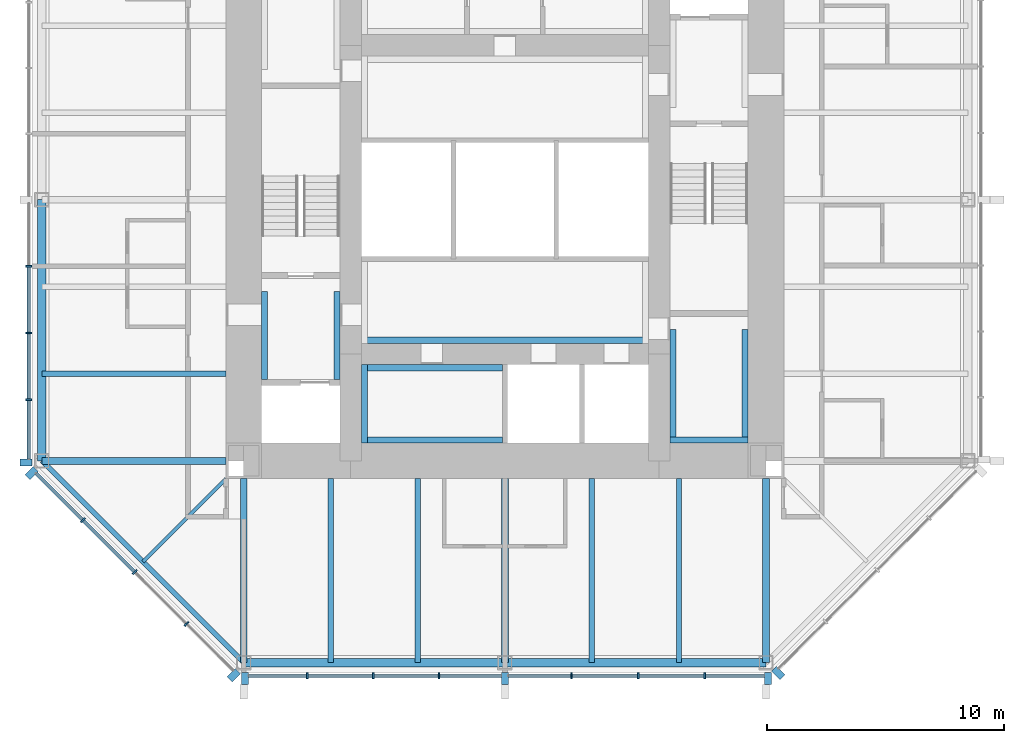
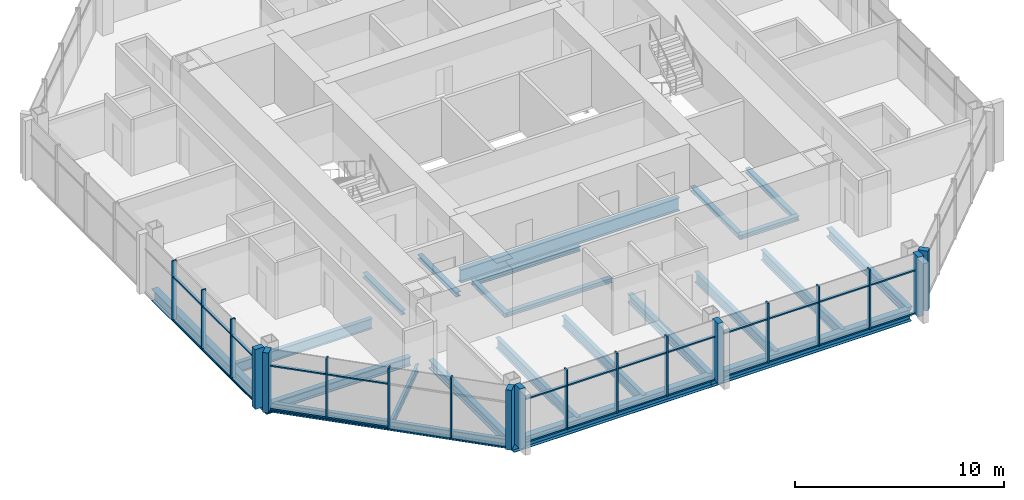
# One storey, part 2 of 11: 45 members, 23 beams, 4 elements without a shape of their own.
"""IFC4 building model written with IfcOpenShell, lengths in metres."""

from ifc_helpers import new_model, si_unit, direction, frame, origin, origin_2d, place, context, subcontext, project, spatial, rectangle, i_section, extrude, material, material_profile, profile_set, type_object, element, aggregate, save


model = new_model("IFC4")

# Units and contexts
model_context = context("Model", 3, precision=1e-05, world=origin(), true_north=direction((0.0, 1.0)))
body_context = subcontext(model_context, "Body", "Model", "MODEL_VIEW")
ifc_project = project(units=[si_unit("LENGTHUNIT", "METRE"), si_unit("AREAUNIT", "SQUARE_METRE"), si_unit("VOLUMEUNIT", "CUBIC_METRE"), si_unit("PLANEANGLEUNIT", "RADIAN"), si_unit("MASSUNIT", "GRAM", prefix="KILO")], contexts=[model_context])

# Site, building, storey
site_placement = place(None, origin())
site = spatial("IfcSite", under=ifc_project, at=site_placement, CompositionType="ELEMENT")
building_placement = place(site_placement, origin())
building = spatial("IfcBuilding", under=site, at=building_placement, Name="Trevanion Tower", CompositionType="ELEMENT")
storey_placement = place(building_placement, frame((0.0, 0.0, 239.699951171875)))
storey = spatial("IfcBuildingStorey", under=building, at=storey_placement, Name="L58", CompositionType="ELEMENT", Elevation=239.699951171875)

# Beams
ifc_material_1 = material(Name="Steel ASTM A992 Grade 50", Category="steel")
ifc_material_profile_1 = material_profile(ifc_material_1, i_section(OverallWidth=0.228271484375, OverallDepth=0.607177734375, WebThickness=0.01123046875, FlangeThickness=0.017333984375, at=origin_2d()), Name="W24X76")
ifc_profile_set_1 = profile_set([ifc_material_profile_1], Name="Steel ASTM A992 Grade 50")
beam_type_1 = type_object("IfcBeamType", Name="B11 W24X76", PredefinedType="BEAM", material=ifc_profile_set_1)
for number, where, z_axis, x_axis, name in (
    (1, (-11.75, -7.333251953125, -0.493408203125), (-1.0, 0.0, 0.0), (0.0, -1.0, 0.0), "B11 L58"),
    (2, (-7.333251953125, -11.75, -0.493408203125), (0.0, -1.0, 0.0), (1.0, 0.0, 0.0), "B11 L58"),
    (3, (-3.666748046875, -11.75, -0.493408203125), (0.0, -1.0, 0.0), (1.0, 0.0, 0.0), "B11 L58"),
    (4, (3.666748046875, -11.75, -0.493408203125), (0.0, -1.0, 0.0), (1.0, 0.0, 0.0), "B11 L58"),
    (5, (7.333251953125, -11.75, -0.493408203125), (0.0, -1.0, 0.0), (1.0, 0.0, 0.0), "B11 L58"),
):
    element("IfcBeam", number, at=place(storey_placement, frame(where, z_axis=z_axis, x_axis=x_axis)), inside=storey, type_object=beam_type_1, Name=name, PredefinedType="BEAM", context=body_context, shape_type="SweptSolid", body=[
        extrude(i_section(OverallWidth=0.228271484375, OverallDepth=0.607177734375, WebThickness=0.01123046875, FlangeThickness=0.017333984375, at=origin_2d()), origin(), (0.0, 0.0, 1.0), 7.75),
    ])
ifc_material_2 = material(Name="Steel ASTM A992 Grade 50", Category="steel")
ifc_material_profile_2 = material_profile(ifc_material_2, i_section(OverallWidth=0.15234375, OverallDepth=0.449462890625, WebThickness=0.007568359375, FlangeThickness=0.0107421875, at=origin_2d()), Name="W18X35")
ifc_profile_set_2 = profile_set([ifc_material_profile_2], Name="Steel ASTM A992 Grade 50")
beam_type_2 = type_object("IfcBeamType", Name="B12 W18X35", PredefinedType="BEAM", material=ifc_profile_set_2)
beam_1_placement = place(storey_placement, frame((-11.75, -11.75, -0.414794921875), z_axis=(-0.707106781187, -0.707106781187, 0.0), x_axis=(0.707106781187, -0.707106781187, 0.0)))
element("IfcBeam", 6, at=beam_1_placement, inside=storey, type_object=beam_type_2, Name="B12 L58", PredefinedType="BEAM", context=body_context, shape_type="SweptSolid", body=[
    extrude(i_section(OverallWidth=0.15234375, OverallDepth=0.449462890625, WebThickness=0.007568359375, FlangeThickness=0.0107421875, at=origin_2d()), origin(), (0.0, 0.0, 1.0), 4.94970703125),
])

# Curtain wall, members
ifc_material_3 = material(Name="Aluminium and glass", Category="aluminium")
curtain_wall_type = type_object("IfcCurtainWallType", Name="CW3 curtain wall", PredefinedType="USERDEFINED", material=ifc_material_3)
curtain_wall_1_placement = place(storey_placement, origin())
curtain_wall_1 = element("IfcCurtainWall", 7, at=curtain_wall_1_placement, inside=storey, type_object=curtain_wall_type, Name="CW3 L58 4", ObjectType="UNITISED CURTAIN WALL", PredefinedType="USERDEFINED")
ifc_material_4 = material(Name="Aluminium extrusion, anodised bronze", Category="aluminium")
ifc_material_profile_3 = material_profile(ifc_material_4, rectangle(XDim=0.074951171875, YDim=0.25, at=origin_2d()), Name="CW3 mullion")
ifc_profile_set_3 = profile_set([ifc_material_profile_3], Name="Aluminium extrusion, anodised bronze")
member_type_1 = type_object("IfcMemberType", Name="CW3 mullion", PredefinedType="MULLION", material=ifc_profile_set_3)
member_1_placement = place(storey_placement, frame((-20.050048828125, -2.806884765625, -0.18994140625), z_axis=(0.0, 0.0, 1.0), x_axis=(0.0, -1.0, 0.0)))
member_1 = element("IfcMember", 8, at=member_1_placement, type_object=member_type_1, Name="CW3 mullion 6", PredefinedType="MULLION", context=body_context, shape_type="SweptSolid", body=[
    extrude(rectangle(XDim=0.074951171875, YDim=0.25, at=origin_2d()), origin(), (0.0, 0.0, 1.0), 3.5),
])
member_2_placement = place(storey_placement, frame((-20.050048828125, -5.614013671875, -0.18994140625), z_axis=(0.0, 0.0, 1.0), x_axis=(0.0, -1.0, 0.0)))
member_2 = element("IfcMember", 9, at=member_2_placement, type_object=member_type_1, Name="CW3 mullion 7", PredefinedType="MULLION", context=body_context, shape_type="SweptSolid", body=[
    extrude(rectangle(XDim=0.074951171875, YDim=0.25, at=origin_2d()), origin(), (0.0, 0.0, 1.0), 3.5),
])
member_3_placement = place(storey_placement, frame((-20.050048828125, -8.4208984375, -0.18994140625), z_axis=(0.0, 0.0, 1.0), x_axis=(0.0, -1.0, 0.0)))
member_3 = element("IfcMember", 10, at=member_3_placement, type_object=member_type_1, Name="CW3 mullion 8", PredefinedType="MULLION", context=body_context, shape_type="SweptSolid", body=[
    extrude(rectangle(XDim=0.074951171875, YDim=0.25, at=origin_2d()), origin(), (0.0, 0.0, 1.0), 3.5),
])

curtain_wall_2_placement = place(storey_placement, origin())
curtain_wall_2 = element("IfcCurtainWall", 11, at=curtain_wall_2_placement, inside=storey, type_object=curtain_wall_type, Name="CW3 L58 5", ObjectType="UNITISED CURTAIN WALL", PredefinedType="USERDEFINED")
member_4_placement = place(storey_placement, frame((-17.775390625, -13.502197265625, -0.18994140625), z_axis=(0.0, 0.0, 1.0), x_axis=(0.707106781187, -0.707106781187, 0.0)))
member_4 = element("IfcMember", 12, at=member_4_placement, type_object=member_type_1, Name="CW3 mullion 2", PredefinedType="MULLION", context=body_context, shape_type="SweptSolid", body=[
    extrude(rectangle(XDim=0.074951171875, YDim=0.25, at=origin_2d()), origin(), (0.0, 0.0, 1.0), 3.5),
])
member_5_placement = place(storey_placement, frame((-15.593017578125, -15.684814453125, -0.18994140625), z_axis=(0.0, 0.0, 1.0), x_axis=(0.707106781187, -0.707106781187, 0.0)))
member_5 = element("IfcMember", 13, at=member_5_placement, type_object=member_type_1, Name="CW3 mullion 3", PredefinedType="MULLION", context=body_context, shape_type="SweptSolid", body=[
    extrude(rectangle(XDim=0.074951171875, YDim=0.25, at=origin_2d()), origin(), (0.0, 0.0, 1.0), 3.5),
])
member_6_placement = place(storey_placement, frame((-13.410400390625, -17.867431640625, -0.18994140625), z_axis=(0.0, 0.0, 1.0), x_axis=(0.707106781187, -0.707106781187, 0.0)))
member_6 = element("IfcMember", 14, at=member_6_placement, type_object=member_type_1, Name="CW3 mullion 4", PredefinedType="MULLION", context=body_context, shape_type="SweptSolid", body=[
    extrude(rectangle(XDim=0.074951171875, YDim=0.25, at=origin_2d()), origin(), (0.0, 0.0, 1.0), 3.5),
])

curtain_wall_3_placement = place(storey_placement, origin())
curtain_wall_3 = element("IfcCurtainWall", 15, at=curtain_wall_3_placement, inside=storey, type_object=curtain_wall_type, Name="CW3 L58 6", ObjectType="UNITISED CURTAIN WALL", PredefinedType="USERDEFINED")
member_7_placement = place(storey_placement, frame((-8.323486328125, -20.050048828125, -0.18994140625), z_axis=(0.0, 0.0, 1.0), x_axis=(1.0, 0.0, 0.0)))
member_7 = element("IfcMember", 16, at=member_7_placement, type_object=member_type_1, Name="CW3 mullion 2", PredefinedType="MULLION", context=body_context, shape_type="SweptSolid", body=[
    extrude(rectangle(XDim=0.074951171875, YDim=0.25, at=origin_2d()), origin(), (0.0, 0.0, 1.0), 3.5),
])
member_8_placement = place(storey_placement, frame((-5.548828125, -20.050048828125, -0.18994140625), z_axis=(0.0, 0.0, 1.0), x_axis=(1.0, 0.0, 0.0)))
member_8 = element("IfcMember", 17, at=member_8_placement, type_object=member_type_1, Name="CW3 mullion 3", PredefinedType="MULLION", context=body_context, shape_type="SweptSolid", body=[
    extrude(rectangle(XDim=0.074951171875, YDim=0.25, at=origin_2d()), origin(), (0.0, 0.0, 1.0), 3.5),
])
member_9_placement = place(storey_placement, frame((-2.7744140625, -20.050048828125, -0.18994140625), z_axis=(0.0, 0.0, 1.0), x_axis=(1.0, 0.0, 0.0)))
member_9 = element("IfcMember", 18, at=member_9_placement, type_object=member_type_1, Name="CW3 mullion 4", PredefinedType="MULLION", context=body_context, shape_type="SweptSolid", body=[
    extrude(rectangle(XDim=0.074951171875, YDim=0.25, at=origin_2d()), origin(), (0.0, 0.0, 1.0), 3.5),
])
member_10_placement = place(storey_placement, frame((2.806884765625, -20.050048828125, -0.18994140625), z_axis=(0.0, 0.0, 1.0), x_axis=(1.0, 0.0, 0.0)))
member_10 = element("IfcMember", 19, at=member_10_placement, type_object=member_type_1, Name="CW3 mullion 6", PredefinedType="MULLION", context=body_context, shape_type="SweptSolid", body=[
    extrude(rectangle(XDim=0.074951171875, YDim=0.25, at=origin_2d()), origin(), (0.0, 0.0, 1.0), 3.5),
])
member_11_placement = place(storey_placement, frame((5.614013671875, -20.050048828125, -0.18994140625), z_axis=(0.0, 0.0, 1.0), x_axis=(1.0, 0.0, 0.0)))
member_11 = element("IfcMember", 20, at=member_11_placement, type_object=member_type_1, Name="CW3 mullion 7", PredefinedType="MULLION", context=body_context, shape_type="SweptSolid", body=[
    extrude(rectangle(XDim=0.074951171875, YDim=0.25, at=origin_2d()), origin(), (0.0, 0.0, 1.0), 3.5),
])
member_12_placement = place(storey_placement, frame((8.4208984375, -20.050048828125, -0.18994140625), z_axis=(0.0, 0.0, 1.0), x_axis=(1.0, 0.0, 0.0)))
member_12 = element("IfcMember", 21, at=member_12_placement, type_object=member_type_1, Name="CW3 mullion 8", PredefinedType="MULLION", context=body_context, shape_type="SweptSolid", body=[
    extrude(rectangle(XDim=0.074951171875, YDim=0.25, at=origin_2d()), origin(), (0.0, 0.0, 1.0), 3.5),
])

# Member
ifc_material_5 = material(Name="Aluminium extrusion, anodised bronze", Category="aluminium")
ifc_material_profile_4 = material_profile(ifc_material_5, rectangle(XDim=0.300048828125, YDim=0.5, at=origin_2d()), Name="CW3 pier mullion")
ifc_profile_set_4 = profile_set([ifc_material_profile_4], Name="Aluminium extrusion, anodised bronze")
member_type_2 = type_object("IfcMemberType", Name="CW3 pier mullion", PredefinedType="MULLION", material=ifc_profile_set_4)
member_13_placement = place(storey_placement, frame((-20.175048828125, -11.077880859375, -0.18994140625), z_axis=(0.0, 0.0, 1.0), x_axis=(0.0, -1.0, 0.0)))
member_13 = element("IfcMember", 22, at=member_13_placement, type_object=member_type_2, Name="CW3 pier mullion 9", PredefinedType="MULLION", context=body_context, shape_type="SweptSolid", body=[
    extrude(rectangle(XDim=0.300048828125, YDim=0.5, at=origin_2d()), origin(), (0.0, 0.0, 1.0), 3.5),
])

member_14_placement = place(storey_placement, frame((-19.9404296875, -11.51416015625, -0.18994140625), z_axis=(0.0, 0.0, 1.0), x_axis=(0.707106781187, -0.707106781187, 0.0)))
member_14 = element("IfcMember", 23, at=member_14_placement, type_object=member_type_2, Name="CW3 pier mullion 1", PredefinedType="MULLION", context=body_context, shape_type="SweptSolid", body=[
    extrude(rectangle(XDim=0.300048828125, YDim=0.5, at=origin_2d()), origin(), (0.0, 0.0, 1.0), 3.5),
])

member_15_placement = place(storey_placement, frame((-11.42236328125, -20.0322265625, -0.18994140625), z_axis=(0.0, 0.0, 1.0), x_axis=(0.707106781187, -0.707106781187, 0.0)))
member_15 = element("IfcMember", 24, at=member_15_placement, type_object=member_type_2, Name="CW3 pier mullion 5", PredefinedType="MULLION", context=body_context, shape_type="SweptSolid", body=[
    extrude(rectangle(XDim=0.300048828125, YDim=0.5, at=origin_2d()), origin(), (0.0, 0.0, 1.0), 3.5),
])

member_16_placement = place(storey_placement, frame((-10.94775390625, -20.175048828125, -0.18994140625), z_axis=(0.0, 0.0, 1.0), x_axis=(1.0, 0.0, 0.0)))
member_16 = element("IfcMember", 25, at=member_16_placement, type_object=member_type_2, Name="CW3 pier mullion 1", PredefinedType="MULLION", context=body_context, shape_type="SweptSolid", body=[
    extrude(rectangle(XDim=0.300048828125, YDim=0.5, at=origin_2d()), origin(), (0.0, 0.0, 1.0), 3.5),
])

member_17_placement = place(storey_placement, frame((0.0, -20.175048828125, -0.18994140625), z_axis=(0.0, 0.0, 1.0), x_axis=(1.0, 0.0, 0.0)))
member_17 = element("IfcMember", 26, at=member_17_placement, type_object=member_type_2, Name="CW3 pier mullion 5", PredefinedType="MULLION", context=body_context, shape_type="SweptSolid", body=[
    extrude(rectangle(XDim=0.300048828125, YDim=0.5, at=origin_2d()), origin(), (0.0, 0.0, 1.0), 3.5),
])

member_18_placement = place(storey_placement, frame((11.077880859375, -20.175048828125, -0.18994140625), z_axis=(0.0, 0.0, 1.0), x_axis=(1.0, 0.0, 0.0)))
member_18 = element("IfcMember", 27, at=member_18_placement, type_object=member_type_2, Name="CW3 pier mullion 9", PredefinedType="MULLION", context=body_context, shape_type="SweptSolid", body=[
    extrude(rectangle(XDim=0.300048828125, YDim=0.5, at=origin_2d()), origin(), (0.0, 0.0, 1.0), 3.5),
])

# Curtain wall, member
curtain_wall_4_placement = place(storey_placement, origin())
curtain_wall_4 = element("IfcCurtainWall", 28, at=curtain_wall_4_placement, inside=storey, type_object=curtain_wall_type, Name="CW3 L58 7", ObjectType="UNITISED CURTAIN WALL", PredefinedType="USERDEFINED")
member_19_placement = place(storey_placement, frame((11.51416015625, -19.9404296875, -0.18994140625), z_axis=(0.0, 0.0, 1.0), x_axis=(0.707106781187, 0.707106781187, 0.0)))
member_19 = element("IfcMember", 29, at=member_19_placement, type_object=member_type_2, Name="CW3 pier mullion 1", PredefinedType="MULLION", context=body_context, shape_type="SweptSolid", body=[
    extrude(rectangle(XDim=0.300048828125, YDim=0.5, at=origin_2d()), origin(), (0.0, 0.0, 1.0), 3.5),
])
aggregate(curtain_wall_4, [member_19])

# Member
ifc_material_6 = material(Name="Aluminium extrusion, anodised bronze", Category="aluminium")
ifc_material_profile_5 = material_profile(ifc_material_6, rectangle(XDim=0.14990234375, YDim=0.074951171875, at=origin_2d()), Name="CW3 transom")
ifc_profile_set_5 = profile_set([ifc_material_profile_5], Name="Aluminium extrusion, anodised bronze")
member_type_3 = type_object("IfcMemberType", Name="CW3 transom", PredefinedType="USERDEFINED", material=ifc_profile_set_5)
member_20_placement = place(storey_placement, frame((-20.050048828125, -2.844482421875, -0.15234375), z_axis=(0.0, -1.0, 0.0), x_axis=(1.0, 0.0, 0.0)))
member_20 = element("IfcMember", 30, at=member_20_placement, type_object=member_type_3, Name="CW3 transom 6.1", ObjectType="TRANSOM", PredefinedType="USERDEFINED", context=body_context, shape_type="SweptSolid", body=[
    extrude(rectangle(XDim=0.14990234375, YDim=0.074951171875, at=origin_2d()), origin(), (0.0, 0.0, 1.0), 2.73193359375),
])

member_21_placement = place(storey_placement, frame((-20.050048828125, -2.844482421875, 2.360107421875), z_axis=(0.0, -1.0, 0.0), x_axis=(1.0, 0.0, 0.0)))
member_21 = element("IfcMember", 31, at=member_21_placement, type_object=member_type_3, Name="CW3 transom 6.2", ObjectType="TRANSOM", PredefinedType="USERDEFINED", context=body_context, shape_type="SweptSolid", body=[
    extrude(rectangle(XDim=0.14990234375, YDim=0.074951171875, at=origin_2d()), origin(), (0.0, 0.0, 1.0), 2.73193359375),
])

member_22_placement = place(storey_placement, frame((-20.050048828125, -5.6513671875, -0.15234375), z_axis=(0.0, -1.0, 0.0), x_axis=(1.0, 0.0, 0.0)))
member_22 = element("IfcMember", 32, at=member_22_placement, type_object=member_type_3, Name="CW3 transom 7.1", ObjectType="TRANSOM", PredefinedType="USERDEFINED", context=body_context, shape_type="SweptSolid", body=[
    extrude(rectangle(XDim=0.14990234375, YDim=0.074951171875, at=origin_2d()), origin(), (0.0, 0.0, 1.0), 2.73193359375),
])

member_23_placement = place(storey_placement, frame((-20.050048828125, -5.6513671875, 2.360107421875), z_axis=(0.0, -1.0, 0.0), x_axis=(1.0, 0.0, 0.0)))
member_23 = element("IfcMember", 33, at=member_23_placement, type_object=member_type_3, Name="CW3 transom 7.2", ObjectType="TRANSOM", PredefinedType="USERDEFINED", context=body_context, shape_type="SweptSolid", body=[
    extrude(rectangle(XDim=0.14990234375, YDim=0.074951171875, at=origin_2d()), origin(), (0.0, 0.0, 1.0), 2.73193359375),
])

member_24_placement = place(storey_placement, frame((-20.050048828125, -8.45849609375, -0.15234375), z_axis=(0.0, -1.0, 0.0), x_axis=(1.0, 0.0, 0.0)))
member_24 = element("IfcMember", 34, at=member_24_placement, type_object=member_type_3, Name="CW3 transom 8.1", ObjectType="TRANSOM", PredefinedType="USERDEFINED", context=body_context, shape_type="SweptSolid", body=[
    extrude(rectangle(XDim=0.14990234375, YDim=0.074951171875, at=origin_2d()), origin(), (0.0, 0.0, 1.0), 2.46923828125),
])

member_25_placement = place(storey_placement, frame((-20.050048828125, -8.45849609375, 2.360107421875), z_axis=(0.0, -1.0, 0.0), x_axis=(1.0, 0.0, 0.0)))
member_25 = element("IfcMember", 35, at=member_25_placement, type_object=member_type_3, Name="CW3 transom 8.2", ObjectType="TRANSOM", PredefinedType="USERDEFINED", context=body_context, shape_type="SweptSolid", body=[
    extrude(rectangle(XDim=0.14990234375, YDim=0.074951171875, at=origin_2d()), origin(), (0.0, 0.0, 1.0), 2.46923828125),
])

aggregate(curtain_wall_1, [member_1, member_2, member_3, member_13, member_20, member_21, member_22, member_23, member_24, member_25])

member_26_placement = place(storey_placement, frame((-19.745849609375, -11.531982421875, -0.15234375), z_axis=(0.707106781187, -0.707106781187, 0.0), x_axis=(0.707106781187, 0.707106781187, 0.0)))
member_26 = element("IfcMember", 36, at=member_26_placement, type_object=member_type_3, Name="CW3 transom 1.1", ObjectType="TRANSOM", PredefinedType="USERDEFINED", context=body_context, shape_type="SweptSolid", body=[
    extrude(rectangle(XDim=0.14990234375, YDim=0.074951171875, at=origin_2d()), origin(), (0.0, 0.0, 1.0), 2.7490234375),
])

member_27_placement = place(storey_placement, frame((-19.745849609375, -11.531982421875, 2.360107421875), z_axis=(0.707106781187, -0.707106781187, 0.0), x_axis=(0.707106781187, 0.707106781187, 0.0)))
member_27 = element("IfcMember", 37, at=member_27_placement, type_object=member_type_3, Name="CW3 transom 1.2", ObjectType="TRANSOM", PredefinedType="USERDEFINED", context=body_context, shape_type="SweptSolid", body=[
    extrude(rectangle(XDim=0.14990234375, YDim=0.074951171875, at=origin_2d()), origin(), (0.0, 0.0, 1.0), 2.7490234375),
])

member_28_placement = place(storey_placement, frame((-17.7490234375, -13.52880859375, -0.15234375), z_axis=(0.707106781187, -0.707106781187, 0.0), x_axis=(0.707106781187, 0.707106781187, 0.0)))
member_28 = element("IfcMember", 38, at=member_28_placement, type_object=member_type_3, Name="CW3 transom 2.1", ObjectType="TRANSOM", PredefinedType="USERDEFINED", context=body_context, shape_type="SweptSolid", body=[
    extrude(rectangle(XDim=0.14990234375, YDim=0.074951171875, at=origin_2d()), origin(), (0.0, 0.0, 1.0), 3.01171875),
])

member_29_placement = place(storey_placement, frame((-17.7490234375, -13.52880859375, 2.360107421875), z_axis=(0.707106781187, -0.707106781187, 0.0), x_axis=(0.707106781187, 0.707106781187, 0.0)))
member_29 = element("IfcMember", 39, at=member_29_placement, type_object=member_type_3, Name="CW3 transom 2.2", ObjectType="TRANSOM", PredefinedType="USERDEFINED", context=body_context, shape_type="SweptSolid", body=[
    extrude(rectangle(XDim=0.14990234375, YDim=0.074951171875, at=origin_2d()), origin(), (0.0, 0.0, 1.0), 3.01171875),
])

aggregate(curtain_wall_2, [member_14, member_4, member_5, member_6, member_15, member_26, member_27, member_28, member_29])

member_30_placement = place(storey_placement, frame((-10.7978515625, -20.050048828125, -0.15234375), z_axis=(1.0, 0.0, 0.0), x_axis=(0.0, 1.0, 0.0)))
member_30 = element("IfcMember", 40, at=member_30_placement, type_object=member_type_3, Name="CW3 transom 1.1", ObjectType="TRANSOM", PredefinedType="USERDEFINED", context=body_context, shape_type="SweptSolid", body=[
    extrude(rectangle(XDim=0.14990234375, YDim=0.074951171875, at=origin_2d()), origin(), (0.0, 0.0, 1.0), 2.43701171875),
])

member_31_placement = place(storey_placement, frame((-10.7978515625, -20.050048828125, 2.360107421875), z_axis=(1.0, 0.0, 0.0), x_axis=(0.0, 1.0, 0.0)))
member_31 = element("IfcMember", 41, at=member_31_placement, type_object=member_type_3, Name="CW3 transom 1.2", ObjectType="TRANSOM", PredefinedType="USERDEFINED", context=body_context, shape_type="SweptSolid", body=[
    extrude(rectangle(XDim=0.14990234375, YDim=0.074951171875, at=origin_2d()), origin(), (0.0, 0.0, 1.0), 2.43701171875),
])

member_32_placement = place(storey_placement, frame((-8.285888671875, -20.050048828125, -0.15234375), z_axis=(1.0, 0.0, 0.0), x_axis=(0.0, 1.0, 0.0)))
member_32 = element("IfcMember", 42, at=member_32_placement, type_object=member_type_3, Name="CW3 transom 2.1", ObjectType="TRANSOM", PredefinedType="USERDEFINED", context=body_context, shape_type="SweptSolid", body=[
    extrude(rectangle(XDim=0.14990234375, YDim=0.074951171875, at=origin_2d()), origin(), (0.0, 0.0, 1.0), 2.699462890625),
])

member_33_placement = place(storey_placement, frame((-8.285888671875, -20.050048828125, 2.360107421875), z_axis=(1.0, 0.0, 0.0), x_axis=(0.0, 1.0, 0.0)))
member_33 = element("IfcMember", 43, at=member_33_placement, type_object=member_type_3, Name="CW3 transom 2.2", ObjectType="TRANSOM", PredefinedType="USERDEFINED", context=body_context, shape_type="SweptSolid", body=[
    extrude(rectangle(XDim=0.14990234375, YDim=0.074951171875, at=origin_2d()), origin(), (0.0, 0.0, 1.0), 2.699462890625),
])

member_34_placement = place(storey_placement, frame((-5.511474609375, -20.050048828125, -0.15234375), z_axis=(1.0, 0.0, 0.0), x_axis=(0.0, 1.0, 0.0)))
member_34 = element("IfcMember", 44, at=member_34_placement, type_object=member_type_3, Name="CW3 transom 3.1", ObjectType="TRANSOM", PredefinedType="USERDEFINED", context=body_context, shape_type="SweptSolid", body=[
    extrude(rectangle(XDim=0.14990234375, YDim=0.074951171875, at=origin_2d()), origin(), (0.0, 0.0, 1.0), 2.699462890625),
])

member_35_placement = place(storey_placement, frame((-5.511474609375, -20.050048828125, 2.360107421875), z_axis=(1.0, 0.0, 0.0), x_axis=(0.0, 1.0, 0.0)))
member_35 = element("IfcMember", 45, at=member_35_placement, type_object=member_type_3, Name="CW3 transom 3.2", ObjectType="TRANSOM", PredefinedType="USERDEFINED", context=body_context, shape_type="SweptSolid", body=[
    extrude(rectangle(XDim=0.14990234375, YDim=0.074951171875, at=origin_2d()), origin(), (0.0, 0.0, 1.0), 2.699462890625),
])

member_36_placement = place(storey_placement, frame((-2.737060546875, -20.050048828125, -0.15234375), z_axis=(1.0, 0.0, 0.0), x_axis=(0.0, 1.0, 0.0)))
member_36 = element("IfcMember", 46, at=member_36_placement, type_object=member_type_3, Name="CW3 transom 4.1", ObjectType="TRANSOM", PredefinedType="USERDEFINED", context=body_context, shape_type="SweptSolid", body=[
    extrude(rectangle(XDim=0.14990234375, YDim=0.074951171875, at=origin_2d()), origin(), (0.0, 0.0, 1.0), 2.587158203125),
])

member_37_placement = place(storey_placement, frame((-2.737060546875, -20.050048828125, 2.360107421875), z_axis=(1.0, 0.0, 0.0), x_axis=(0.0, 1.0, 0.0)))
member_37 = element("IfcMember", 47, at=member_37_placement, type_object=member_type_3, Name="CW3 transom 4.2", ObjectType="TRANSOM", PredefinedType="USERDEFINED", context=body_context, shape_type="SweptSolid", body=[
    extrude(rectangle(XDim=0.14990234375, YDim=0.074951171875, at=origin_2d()), origin(), (0.0, 0.0, 1.0), 2.587158203125),
])

member_38_placement = place(storey_placement, frame((0.14990234375, -20.050048828125, -0.15234375), z_axis=(1.0, 0.0, 0.0), x_axis=(0.0, 1.0, 0.0)))
member_38 = element("IfcMember", 48, at=member_38_placement, type_object=member_type_3, Name="CW3 transom 5.1", ObjectType="TRANSOM", PredefinedType="USERDEFINED", context=body_context, shape_type="SweptSolid", body=[
    extrude(rectangle(XDim=0.14990234375, YDim=0.074951171875, at=origin_2d()), origin(), (0.0, 0.0, 1.0), 2.619384765625),
])

member_39_placement = place(storey_placement, frame((0.14990234375, -20.050048828125, 2.360107421875), z_axis=(1.0, 0.0, 0.0), x_axis=(0.0, 1.0, 0.0)))
member_39 = element("IfcMember", 49, at=member_39_placement, type_object=member_type_3, Name="CW3 transom 5.2", ObjectType="TRANSOM", PredefinedType="USERDEFINED", context=body_context, shape_type="SweptSolid", body=[
    extrude(rectangle(XDim=0.14990234375, YDim=0.074951171875, at=origin_2d()), origin(), (0.0, 0.0, 1.0), 2.619384765625),
])

member_40_placement = place(storey_placement, frame((2.844482421875, -20.050048828125, -0.15234375), z_axis=(1.0, 0.0, 0.0), x_axis=(0.0, 1.0, 0.0)))
member_40 = element("IfcMember", 50, at=member_40_placement, type_object=member_type_3, Name="CW3 transom 6.1", ObjectType="TRANSOM", PredefinedType="USERDEFINED", context=body_context, shape_type="SweptSolid", body=[
    extrude(rectangle(XDim=0.14990234375, YDim=0.074951171875, at=origin_2d()), origin(), (0.0, 0.0, 1.0), 2.73193359375),
])

member_41_placement = place(storey_placement, frame((2.844482421875, -20.050048828125, 2.360107421875), z_axis=(1.0, 0.0, 0.0), x_axis=(0.0, 1.0, 0.0)))
member_41 = element("IfcMember", 51, at=member_41_placement, type_object=member_type_3, Name="CW3 transom 6.2", ObjectType="TRANSOM", PredefinedType="USERDEFINED", context=body_context, shape_type="SweptSolid", body=[
    extrude(rectangle(XDim=0.14990234375, YDim=0.074951171875, at=origin_2d()), origin(), (0.0, 0.0, 1.0), 2.73193359375),
])

member_42_placement = place(storey_placement, frame((5.6513671875, -20.050048828125, -0.15234375), z_axis=(1.0, 0.0, 0.0), x_axis=(0.0, 1.0, 0.0)))
member_42 = element("IfcMember", 52, at=member_42_placement, type_object=member_type_3, Name="CW3 transom 7.1", ObjectType="TRANSOM", PredefinedType="USERDEFINED", context=body_context, shape_type="SweptSolid", body=[
    extrude(rectangle(XDim=0.14990234375, YDim=0.074951171875, at=origin_2d()), origin(), (0.0, 0.0, 1.0), 2.73193359375),
])

member_43_placement = place(storey_placement, frame((5.6513671875, -20.050048828125, 2.360107421875), z_axis=(1.0, 0.0, 0.0), x_axis=(0.0, 1.0, 0.0)))
member_43 = element("IfcMember", 53, at=member_43_placement, type_object=member_type_3, Name="CW3 transom 7.2", ObjectType="TRANSOM", PredefinedType="USERDEFINED", context=body_context, shape_type="SweptSolid", body=[
    extrude(rectangle(XDim=0.14990234375, YDim=0.074951171875, at=origin_2d()), origin(), (0.0, 0.0, 1.0), 2.73193359375),
])

member_44_placement = place(storey_placement, frame((8.45849609375, -20.050048828125, -0.15234375), z_axis=(1.0, 0.0, 0.0), x_axis=(0.0, 1.0, 0.0)))
member_44 = element("IfcMember", 54, at=member_44_placement, type_object=member_type_3, Name="CW3 transom 8.1", ObjectType="TRANSOM", PredefinedType="USERDEFINED", context=body_context, shape_type="SweptSolid", body=[
    extrude(rectangle(XDim=0.14990234375, YDim=0.074951171875, at=origin_2d()), origin(), (0.0, 0.0, 1.0), 2.46923828125),
])

member_45_placement = place(storey_placement, frame((8.45849609375, -20.050048828125, 2.360107421875), z_axis=(1.0, 0.0, 0.0), x_axis=(0.0, 1.0, 0.0)))
member_45 = element("IfcMember", 55, at=member_45_placement, type_object=member_type_3, Name="CW3 transom 8.2", ObjectType="TRANSOM", PredefinedType="USERDEFINED", context=body_context, shape_type="SweptSolid", body=[
    extrude(rectangle(XDim=0.14990234375, YDim=0.074951171875, at=origin_2d()), origin(), (0.0, 0.0, 1.0), 2.46923828125),
])

aggregate(curtain_wall_3, [member_16, member_7, member_8, member_9, member_17, member_10, member_11, member_12, member_18, member_30, member_31, member_32, member_33, member_34, member_35, member_36, member_37, member_38, member_39, member_40, member_41, member_42, member_43, member_44, member_45])

# Beams
ifc_material_7 = material(Name="Steel ASTM A992 Grade 50", Category="steel")
ifc_material_profile_6 = material_profile(ifc_material_7, i_section(OverallWidth=0.28955078125, OverallDepth=0.508056640625, WebThickness=0.022705078125, FlangeThickness=0.040283203125, at=origin_2d()), Name="W18X175")
ifc_profile_set_6 = profile_set([ifc_material_profile_6], Name="Steel ASTM A992 Grade 50")
beam_type_3 = type_object("IfcBeamType", Name="G6 W18X175", PredefinedType="BEAM", material=ifc_profile_set_6)
for number, where, z_axis, x_axis, name in (
    (56, (-11.75, -11.0, -0.44384765625), (-1.0, 0.0, 0.0), (0.0, -1.0, 0.0), "G6 L58"),
    (57, (-11.0, -11.75, -0.44384765625), (0.0, -1.0, 0.0), (1.0, 0.0, 0.0), "G6 L58"),
    (58, (0.0, -11.75, -0.44384765625), (0.0, -1.0, 0.0), (1.0, 0.0, 0.0), "G6 L58"),
    (59, (11.0, -11.75, -0.44384765625), (0.0, -1.0, 0.0), (1.0, 0.0, 0.0), "G6 L58"),
):
    element("IfcBeam", number, at=place(storey_placement, frame(where, z_axis=z_axis, x_axis=x_axis)), inside=storey, type_object=beam_type_3, Name=name, PredefinedType="BEAM", context=body_context, shape_type="SweptSolid", body=[
        extrude(i_section(OverallWidth=0.28955078125, OverallDepth=0.508056640625, WebThickness=0.022705078125, FlangeThickness=0.040283203125, at=origin_2d()), origin(), (0.0, 0.0, 1.0), 7.75),
    ])
ifc_material_8 = material(Name="Steel ASTM A992 Grade 50", Category="steel")
ifc_material_profile_7 = material_profile(ifc_material_8, i_section(OverallWidth=0.256591796875, OverallDepth=0.26416015625, WebThickness=0.011962890625, FlangeThickness=0.01953125, at=origin_2d()), Name="W10X68")
ifc_profile_set_7 = profile_set([ifc_material_profile_7], Name="Steel ASTM A992 Grade 50")
beam_type_4 = type_object("IfcBeamType", Name="LB1 W10X68", PredefinedType="BEAM", material=ifc_profile_set_7)
for number, where, z_axis, x_axis, name in (
    (60, (-10.12158203125, -7.574951171875, -0.33203125), (0.0, 1.0, 0.0), (-1.0, 0.0, 0.0), "LB1 L58"),
    (61, (-7.078369140625, -7.574951171875, -0.33203125), (0.0, 1.0, 0.0), (-1.0, 0.0, 0.0), "LB1 L58"),
):
    element("IfcBeam", number, at=place(storey_placement, frame(where, z_axis=z_axis, x_axis=x_axis)), inside=storey, type_object=beam_type_4, Name=name, PredefinedType="BEAM", context=body_context, shape_type="SweptSolid", body=[
        extrude(i_section(OverallWidth=0.256591796875, OverallDepth=0.26416015625, WebThickness=0.011962890625, FlangeThickness=0.01953125, at=origin_2d()), origin(), (0.0, 0.0, 1.0), 3.699951171875),
    ])
for number, where, z_axis, x_axis, name in (
    (62, (7.078369140625, -10.25, -0.33203125), (0.0, 1.0, 0.0), (-1.0, 0.0, 0.0), "LB1 L58"),
    (63, (10.12158203125, -10.25, -0.33203125), (0.0, 1.0, 0.0), (-1.0, 0.0, 0.0), "LB1 L58"),
):
    element("IfcBeam", number, at=place(storey_placement, frame(where, z_axis=z_axis, x_axis=x_axis)), inside=storey, type_object=beam_type_4, Name=name, PredefinedType="BEAM", context=body_context, shape_type="SweptSolid", body=[
        extrude(i_section(OverallWidth=0.256591796875, OverallDepth=0.26416015625, WebThickness=0.011962890625, FlangeThickness=0.01953125, at=origin_2d()), origin(), (0.0, 0.0, 1.0), 4.77490234375),
    ])
for number, where, z_axis, x_axis, name in (
    (64, (6.949951171875, -10.12158203125, -0.33203125), (1.0, 0.0, 0.0), (0.0, 1.0, 0.0), "LB1 L58"),
    (65, (-5.921630859375, -10.25, -0.33203125), (0.0, 1.0, 0.0), (-1.0, 0.0, 0.0), "LB1 L58"),
):
    element("IfcBeam", number, at=place(storey_placement, frame(where, z_axis=z_axis, x_axis=x_axis)), inside=storey, type_object=beam_type_4, Name=name, PredefinedType="BEAM", context=body_context, shape_type="SweptSolid", body=[
        extrude(i_section(OverallWidth=0.256591796875, OverallDepth=0.26416015625, WebThickness=0.011962890625, FlangeThickness=0.01953125, at=origin_2d()), origin(), (0.0, 0.0, 1.0), 3.300048828125),
    ])
for number, where, z_axis, x_axis, name in (
    (66, (-6.050048828125, -10.12158203125, -0.33203125), (1.0, 0.0, 0.0), (0.0, 1.0, 0.0), "LB1 L58"),
    (67, (-6.050048828125, -7.078369140625, -0.33203125), (1.0, 0.0, 0.0), (0.0, 1.0, 0.0), "LB1 L58"),
):
    element("IfcBeam", number, at=place(storey_placement, frame(where, z_axis=z_axis, x_axis=x_axis)), inside=storey, type_object=beam_type_4, Name=name, PredefinedType="BEAM", context=body_context, shape_type="SweptSolid", body=[
        extrude(i_section(OverallWidth=0.256591796875, OverallDepth=0.26416015625, WebThickness=0.011962890625, FlangeThickness=0.01953125, at=origin_2d()), origin(), (0.0, 0.0, 1.0), 5.949951171875),
    ])
ifc_material_9 = material(Name="Steel ASTM A992 Grade 50", Category="steel")
ifc_material_profile_8 = material_profile(ifc_material_9, i_section(OverallWidth=0.2666015625, OverallDepth=0.76953125, WebThickness=0.015625, FlangeThickness=0.025390625, at=origin_2d()), Name="W30X132")
ifc_profile_set_8 = profile_set([ifc_material_profile_8], Name="Steel ASTM A992 Grade 50")
beam_type_5 = type_object("IfcBeamType", Name="LB3 W30X132", PredefinedType="BEAM", material=ifc_profile_set_8)
beam_2_placement = place(storey_placement, frame((-6.050048828125, -5.91650390625, -0.584716796875), z_axis=(1.0, 0.0, 0.0), x_axis=(0.0, 1.0, 0.0)))
element("IfcBeam", 68, at=beam_2_placement, inside=storey, type_object=beam_type_5, Name="LB3 L58", PredefinedType="BEAM", context=body_context, shape_type="SweptSolid", body=[
    extrude(i_section(OverallWidth=0.2666015625, OverallDepth=0.76953125, WebThickness=0.015625, FlangeThickness=0.025390625, at=origin_2d()), origin(), (0.0, 0.0, 1.0), 12.10009765625),
])
ifc_material_10 = material(Name="Steel ASTM A992 Grade 50", Category="steel")
ifc_material_profile_9 = material_profile(ifc_material_10, i_section(OverallWidth=0.355712890625, OverallDepth=0.696044921875, WebThickness=0.015380859375, FlangeThickness=0.024658203125, at=origin_2d()), Name="W27X146")
ifc_profile_set_9 = profile_set([ifc_material_profile_9], Name="Steel ASTM A992 Grade 50")
beam_type_6 = type_object("IfcBeamType", Name="SB8 W27X146", PredefinedType="SPANDREL", material=ifc_profile_set_9)
for number, where, z_axis, x_axis, name in (
    (69, (-19.5, 0.0, -0.537841796875), (0.0, -1.0, 0.0), (1.0, 0.0, 0.0), "SB8 L58"),
    (70, (-11.0, -19.5, -0.537841796875), (1.0, 0.0, 0.0), (0.0, 1.0, 0.0), "SB8 L58"),
    (71, (0.0, -19.5, -0.537841796875), (1.0, 0.0, 0.0), (0.0, 1.0, 0.0), "SB8 L58"),
):
    element("IfcBeam", number, at=place(storey_placement, frame(where, z_axis=z_axis, x_axis=x_axis)), inside=storey, type_object=beam_type_6, Name=name, PredefinedType="SPANDREL", context=body_context, shape_type="SweptSolid", body=[
        extrude(i_section(OverallWidth=0.355712890625, OverallDepth=0.696044921875, WebThickness=0.015380859375, FlangeThickness=0.024658203125, at=origin_2d()), origin(), (0.0, 0.0, 1.0), 11.0),
    ])
ifc_material_11 = material(Name="Steel ASTM A992 Grade 50", Category="steel")
ifc_material_profile_10 = material_profile(ifc_material_11, i_section(OverallWidth=0.209228515625, OverallDepth=0.533447265625, WebThickness=0.01025390625, FlangeThickness=0.015625, at=origin_2d()), Name="W21X62")
ifc_profile_set_10 = profile_set([ifc_material_profile_10], Name="Steel ASTM A992 Grade 50")
beam_type_7 = type_object("IfcBeamType", Name="SB9 W21X62", PredefinedType="SPANDREL", material=ifc_profile_set_10)
beam_3_placement = place(storey_placement, frame((-19.5, -11.0, -0.45654296875), z_axis=(0.707106781187, -0.707106781187, 0.0), x_axis=(0.707106781187, 0.707106781187, 0.0)))
element("IfcBeam", 72, at=beam_3_placement, inside=storey, type_object=beam_type_7, Name="SB9 L58", PredefinedType="SPANDREL", context=body_context, shape_type="SweptSolid", body=[
    extrude(i_section(OverallWidth=0.209228515625, OverallDepth=0.533447265625, WebThickness=0.01025390625, FlangeThickness=0.015625, at=origin_2d()), origin(), (0.0, 0.0, 1.0), 12.020751953125),
])

save(model, "model.ifc")
